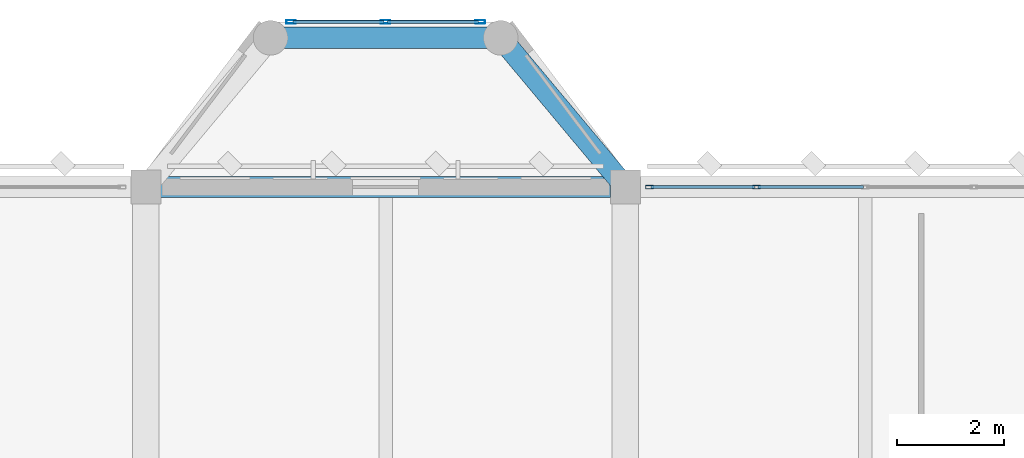
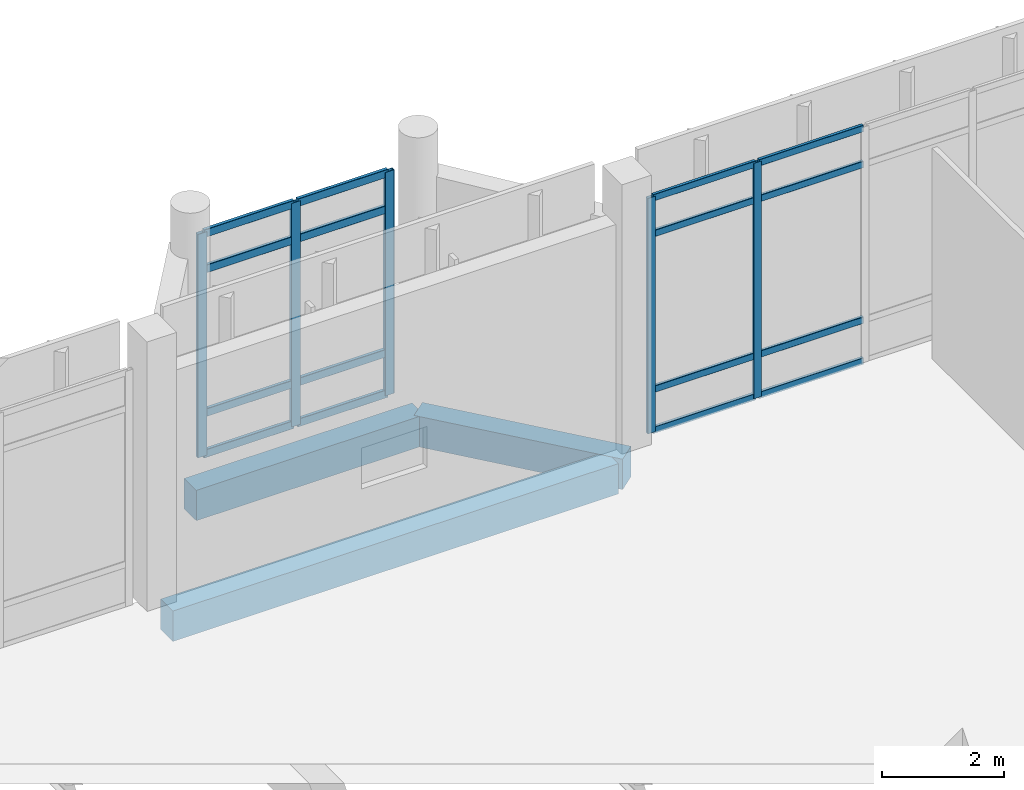
# One storey, part 86 of 180: 21 members, 3 beams, 2 elements without a shape of their own.
"""IFC4 building model written with IfcOpenShell, lengths in metres."""

from ifc_helpers import new_model, si_unit, direction, frame, origin, origin_2d, place, context, subcontext, project, spatial, rectangle, hollow_rectangle, extrude, material, material_profile, profile_set, type_object, element, aggregate, save


model = new_model("IFC4")

# Units and contexts
model_context = context("Model", 3, precision=1e-05, world=origin(), true_north=direction((0.0, 1.0)))
body_context = subcontext(model_context, "Body", "Model", "MODEL_VIEW")
ifc_project = project(units=[si_unit("LENGTHUNIT", "METRE"), si_unit("AREAUNIT", "SQUARE_METRE"), si_unit("VOLUMEUNIT", "CUBIC_METRE"), si_unit("PLANEANGLEUNIT", "RADIAN"), si_unit("MASSUNIT", "GRAM", prefix="KILO")], contexts=[model_context])

# Site, building, storey
site_placement = place(None, origin())
site = spatial("IfcSite", under=ifc_project, at=site_placement, CompositionType="ELEMENT")
building_placement = place(site_placement, origin())
building = spatial("IfcBuilding", under=site, at=building_placement, Name="Lusvemor Sports Hall", CompositionType="ELEMENT")
storey_placement = place(building_placement, frame((0.0, 0.0, 5.39990234375)))
storey = spatial("IfcBuildingStorey", under=building, at=storey_placement, Name="L01", CompositionType="ELEMENT", Elevation=5.39990234375)

# Curtain wall, members
ifc_material_1 = material(Name="Thermally broken bronze-anodized aluminium", Category="aluminium")
curtain_wall_type_1 = type_object("IfcCurtainWallType", Name="CW_FOYER_A", PredefinedType="NOTDEFINED", material=ifc_material_1)
curtain_wall_1_placement = place(storey_placement, origin())
curtain_wall_1 = element("IfcCurtainWall", 1, at=curtain_wall_1_placement, inside=storey, type_object=curtain_wall_type_1, Name="Curtain Wall CW-BOW-N2-L01-M", PredefinedType="NOTDEFINED")
ifc_material_2 = material(Name="Thermally broken bronze-anodized aluminium", Category="aluminium")
ifc_material_profile_1 = material_profile(ifc_material_2, hollow_rectangle(XDim=0.070068359375, YDim=0.179931640625, WallThickness=0.0048828125, InnerFilletRadius=0.0048828125, OuterFilletRadius=0.010009765625, at=origin_2d()), Name="CWMUL180x70x5")
ifc_profile_set_1 = profile_set([ifc_material_profile_1], Name="Thermally broken bronze-anodized aluminium")
member_type_1 = type_object("IfcMemberType", Name="CW_MUL_A", PredefinedType="MULLION", material=ifc_profile_set_1)
member_1_placement = place(storey_placement, frame((78.324951171875, 118.300048828125, 0.0), z_axis=(0.0, 0.0, 1.0), x_axis=(0.0, 1.0, 0.0)))
member_1 = element("IfcMember", 2, at=member_1_placement, type_object=member_type_1, Name="CW01 mullion 1", PredefinedType="MULLION", context=body_context, shape_type="SweptSolid", body=[
    extrude(hollow_rectangle(XDim=0.070068359375, YDim=0.179931640625, WallThickness=0.0048828125, InnerFilletRadius=0.0048828125, OuterFilletRadius=0.010009765625, at=origin_2d()), origin(), (0.0, 0.0, 1.0), 4.47998046875),
])
member_2_placement = place(storey_placement, frame((80.10009765625, 118.300048828125, 0.0), z_axis=(0.0, 0.0, 1.0), x_axis=(0.0, 1.0, 0.0)))
member_2 = element("IfcMember", 3, at=member_2_placement, type_object=member_type_1, Name="CW01 mullion 2", PredefinedType="MULLION", context=body_context, shape_type="SweptSolid", body=[
    extrude(hollow_rectangle(XDim=0.070068359375, YDim=0.179931640625, WallThickness=0.0048828125, InnerFilletRadius=0.0048828125, OuterFilletRadius=0.010009765625, at=origin_2d()), origin(), (0.0, 0.0, 1.0), 4.47998046875),
])
member_3_placement = place(storey_placement, frame((81.875, 118.300048828125, 0.0), z_axis=(0.0, 0.0, 1.0), x_axis=(0.0, 1.0, 0.0)))
member_3 = element("IfcMember", 4, at=member_3_placement, type_object=member_type_1, Name="CW01 mullion 3", PredefinedType="MULLION", context=body_context, shape_type="SweptSolid", body=[
    extrude(hollow_rectangle(XDim=0.070068359375, YDim=0.179931640625, WallThickness=0.0048828125, InnerFilletRadius=0.0048828125, OuterFilletRadius=0.010009765625, at=origin_2d()), origin(), (0.0, 0.0, 1.0), 4.47998046875),
])

ifc_material_3 = material(Name="Thermally broken bronze-anodized aluminium", Category="aluminium")
curtain_wall_type_2 = type_object("IfcCurtainWallType", Name="CW_WING_B", PredefinedType="NOTDEFINED", material=ifc_material_3)
curtain_wall_2_placement = place(storey_placement, origin())
curtain_wall_2 = element("IfcCurtainWall", 5, at=curtain_wall_2_placement, inside=storey, type_object=curtain_wall_type_2, Name="Curtain Wall CW-L01-N-1-8", PredefinedType="NOTDEFINED")
ifc_material_4 = material(Name="Thermally broken bronze-anodized aluminium", Category="aluminium")
ifc_material_profile_2 = material_profile(ifc_material_4, hollow_rectangle(XDim=0.06494140625, YDim=0.14990234375, WallThickness=0.00390625, InnerFilletRadius=0.00390625, OuterFilletRadius=0.008056640625, at=origin_2d()), Name="CWMUL150x65x4")
ifc_profile_set_2 = profile_set([ifc_material_profile_2], Name="Thermally broken bronze-anodized aluminium")
member_type_2 = type_object("IfcMemberType", Name="CW_MUL_B", PredefinedType="MULLION", material=ifc_profile_set_2)
member_4_placement = place(storey_placement, frame((85.052490234375, 115.199951171875, 0.0), z_axis=(0.0, 0.0, 1.0), x_axis=(0.0, 1.0, 0.0)))
member_4 = element("IfcMember", 6, at=member_4_placement, type_object=member_type_2, Name="CW02 mullion 1", PredefinedType="MULLION", context=body_context, shape_type="SweptSolid", body=[
    extrude(hollow_rectangle(XDim=0.06494140625, YDim=0.14990234375, WallThickness=0.00390625, InnerFilletRadius=0.00390625, OuterFilletRadius=0.008056640625, at=origin_2d()), origin(), (0.0, 0.0, 1.0), 4.72021484375),
])
member_5_placement = place(storey_placement, frame((87.06005859375, 115.199951171875, 0.0), z_axis=(0.0, 0.0, 1.0), x_axis=(0.0, 1.0, 0.0)))
member_5 = element("IfcMember", 7, at=member_5_placement, type_object=member_type_2, Name="CW02 mullion 2", PredefinedType="MULLION", context=body_context, shape_type="SweptSolid", body=[
    extrude(hollow_rectangle(XDim=0.06494140625, YDim=0.14990234375, WallThickness=0.00390625, InnerFilletRadius=0.00390625, OuterFilletRadius=0.008056640625, at=origin_2d()), origin(), (0.0, 0.0, 1.0), 4.72021484375),
])

# Member
ifc_material_5 = material(Name="Thermally broken bronze-anodized aluminium", Category="aluminium")
ifc_material_profile_3 = material_profile(ifc_material_5, hollow_rectangle(XDim=0.06494140625, YDim=0.159912109375, WallThickness=0.00390625, InnerFilletRadius=0.00390625, OuterFilletRadius=0.008056640625, at=origin_2d()), Name="CWTRN160x65x4")
ifc_profile_set_3 = profile_set([ifc_material_profile_3], Name="Thermally broken bronze-anodized aluminium")
member_type_3 = type_object("IfcMemberType", Name="CW_TRN_A", PredefinedType="USERDEFINED", material=ifc_profile_set_3)
member_6_placement = place(storey_placement, frame((78.360107421875, 118.300048828125, 0.03271484375), z_axis=(1.0, 0.0, 0.0), x_axis=(0.0, 1.0, 0.0)))
member_6 = element("IfcMember", 8, at=member_6_placement, type_object=member_type_3, Name="CW01 transom 1.1", ObjectType="TRANSOM", PredefinedType="USERDEFINED", context=body_context, shape_type="SweptSolid", body=[
    extrude(hollow_rectangle(XDim=0.06494140625, YDim=0.159912109375, WallThickness=0.00390625, InnerFilletRadius=0.00390625, OuterFilletRadius=0.008056640625, at=origin_2d()), origin(), (0.0, 0.0, 1.0), 1.704833984375),
])

member_7_placement = place(storey_placement, frame((78.360107421875, 118.300048828125, 0.85009765625), z_axis=(1.0, 0.0, 0.0), x_axis=(0.0, 1.0, 0.0)))
member_7 = element("IfcMember", 9, at=member_7_placement, type_object=member_type_3, Name="CW01 transom 1.2", ObjectType="TRANSOM", PredefinedType="USERDEFINED", context=body_context, shape_type="SweptSolid", body=[
    extrude(hollow_rectangle(XDim=0.06494140625, YDim=0.159912109375, WallThickness=0.00390625, InnerFilletRadius=0.00390625, OuterFilletRadius=0.008056640625, at=origin_2d()), origin(), (0.0, 0.0, 1.0), 1.704833984375),
])

member_8_placement = place(storey_placement, frame((78.360107421875, 118.300048828125, 3.72998046875), z_axis=(1.0, 0.0, 0.0), x_axis=(0.0, 1.0, 0.0)))
member_8 = element("IfcMember", 10, at=member_8_placement, type_object=member_type_3, Name="CW01 transom 1.3", ObjectType="TRANSOM", PredefinedType="USERDEFINED", context=body_context, shape_type="SweptSolid", body=[
    extrude(hollow_rectangle(XDim=0.06494140625, YDim=0.159912109375, WallThickness=0.00390625, InnerFilletRadius=0.00390625, OuterFilletRadius=0.008056640625, at=origin_2d()), origin(), (0.0, 0.0, 1.0), 1.704833984375),
])

member_9_placement = place(storey_placement, frame((78.360107421875, 118.300048828125, 4.447509765625), z_axis=(1.0, 0.0, 0.0), x_axis=(0.0, 1.0, 0.0)))
member_9 = element("IfcMember", 11, at=member_9_placement, type_object=member_type_3, Name="CW01 transom 1.4", ObjectType="TRANSOM", PredefinedType="USERDEFINED", context=body_context, shape_type="SweptSolid", body=[
    extrude(hollow_rectangle(XDim=0.06494140625, YDim=0.159912109375, WallThickness=0.00390625, InnerFilletRadius=0.00390625, OuterFilletRadius=0.008056640625, at=origin_2d()), origin(), (0.0, 0.0, 1.0), 1.704833984375),
])

member_10_placement = place(storey_placement, frame((80.135009765625, 118.300048828125, 0.03271484375), z_axis=(1.0, 0.0, 0.0), x_axis=(0.0, 1.0, 0.0)))
member_10 = element("IfcMember", 12, at=member_10_placement, type_object=member_type_3, Name="CW01 transom 2.1", ObjectType="TRANSOM", PredefinedType="USERDEFINED", context=body_context, shape_type="SweptSolid", body=[
    extrude(hollow_rectangle(XDim=0.06494140625, YDim=0.159912109375, WallThickness=0.00390625, InnerFilletRadius=0.00390625, OuterFilletRadius=0.008056640625, at=origin_2d()), origin(), (0.0, 0.0, 1.0), 1.705078125),
])

member_11_placement = place(storey_placement, frame((80.135009765625, 118.300048828125, 0.85009765625), z_axis=(1.0, 0.0, 0.0), x_axis=(0.0, 1.0, 0.0)))
member_11 = element("IfcMember", 13, at=member_11_placement, type_object=member_type_3, Name="CW01 transom 2.2", ObjectType="TRANSOM", PredefinedType="USERDEFINED", context=body_context, shape_type="SweptSolid", body=[
    extrude(hollow_rectangle(XDim=0.06494140625, YDim=0.159912109375, WallThickness=0.00390625, InnerFilletRadius=0.00390625, OuterFilletRadius=0.008056640625, at=origin_2d()), origin(), (0.0, 0.0, 1.0), 1.705078125),
])

member_12_placement = place(storey_placement, frame((80.135009765625, 118.300048828125, 3.72998046875), z_axis=(1.0, 0.0, 0.0), x_axis=(0.0, 1.0, 0.0)))
member_12 = element("IfcMember", 14, at=member_12_placement, type_object=member_type_3, Name="CW01 transom 2.3", ObjectType="TRANSOM", PredefinedType="USERDEFINED", context=body_context, shape_type="SweptSolid", body=[
    extrude(hollow_rectangle(XDim=0.06494140625, YDim=0.159912109375, WallThickness=0.00390625, InnerFilletRadius=0.00390625, OuterFilletRadius=0.008056640625, at=origin_2d()), origin(), (0.0, 0.0, 1.0), 1.705078125),
])

member_13_placement = place(storey_placement, frame((80.135009765625, 118.300048828125, 4.447509765625), z_axis=(1.0, 0.0, 0.0), x_axis=(0.0, 1.0, 0.0)))
member_13 = element("IfcMember", 15, at=member_13_placement, type_object=member_type_3, Name="CW01 transom 2.4", ObjectType="TRANSOM", PredefinedType="USERDEFINED", context=body_context, shape_type="SweptSolid", body=[
    extrude(hollow_rectangle(XDim=0.06494140625, YDim=0.159912109375, WallThickness=0.00390625, InnerFilletRadius=0.00390625, OuterFilletRadius=0.008056640625, at=origin_2d()), origin(), (0.0, 0.0, 1.0), 1.705078125),
])

aggregate(curtain_wall_1, [member_1, member_2, member_3, member_6, member_7, member_8, member_9, member_10, member_11, member_12, member_13])

ifc_material_6 = material(Name="Thermally broken bronze-anodized aluminium", Category="aluminium")
ifc_material_profile_4 = material_profile(ifc_material_6, hollow_rectangle(XDim=0.06005859375, YDim=0.135009765625, WallThickness=0.00390625, InnerFilletRadius=0.00390625, OuterFilletRadius=0.008056640625, at=origin_2d()), Name="CWTRN135x60x4")
ifc_profile_set_4 = profile_set([ifc_material_profile_4], Name="Thermally broken bronze-anodized aluminium")
member_type_4 = type_object("IfcMemberType", Name="CW_TRN_B", PredefinedType="USERDEFINED", material=ifc_profile_set_4)
member_14_placement = place(storey_placement, frame((85.0849609375, 115.199951171875, 0.030029296875), z_axis=(1.0, 0.0, 0.0), x_axis=(0.0, 1.0, 0.0)))
member_14 = element("IfcMember", 16, at=member_14_placement, type_object=member_type_4, Name="CW02 transom 1.1", ObjectType="TRANSOM", PredefinedType="USERDEFINED", context=body_context, shape_type="SweptSolid", body=[
    extrude(hollow_rectangle(XDim=0.06005859375, YDim=0.135009765625, WallThickness=0.00390625, InnerFilletRadius=0.00390625, OuterFilletRadius=0.008056640625, at=origin_2d()), origin(), (0.0, 0.0, 1.0), 1.942626953125),
])

member_15_placement = place(storey_placement, frame((85.0849609375, 115.199951171875, 0.85009765625), z_axis=(1.0, 0.0, 0.0), x_axis=(0.0, 1.0, 0.0)))
member_15 = element("IfcMember", 17, at=member_15_placement, type_object=member_type_4, Name="CW02 transom 1.2", ObjectType="TRANSOM", PredefinedType="USERDEFINED", context=body_context, shape_type="SweptSolid", body=[
    extrude(hollow_rectangle(XDim=0.06005859375, YDim=0.135009765625, WallThickness=0.00390625, InnerFilletRadius=0.00390625, OuterFilletRadius=0.008056640625, at=origin_2d()), origin(), (0.0, 0.0, 1.0), 1.942626953125),
])

member_16_placement = place(storey_placement, frame((85.0849609375, 115.199951171875, 3.97021484375), z_axis=(1.0, 0.0, 0.0), x_axis=(0.0, 1.0, 0.0)))
member_16 = element("IfcMember", 18, at=member_16_placement, type_object=member_type_4, Name="CW02 transom 1.3", ObjectType="TRANSOM", PredefinedType="USERDEFINED", context=body_context, shape_type="SweptSolid", body=[
    extrude(hollow_rectangle(XDim=0.06005859375, YDim=0.135009765625, WallThickness=0.00390625, InnerFilletRadius=0.00390625, OuterFilletRadius=0.008056640625, at=origin_2d()), origin(), (0.0, 0.0, 1.0), 1.942626953125),
])

member_17_placement = place(storey_placement, frame((85.0849609375, 115.199951171875, 4.690185546875), z_axis=(1.0, 0.0, 0.0), x_axis=(0.0, 1.0, 0.0)))
member_17 = element("IfcMember", 19, at=member_17_placement, type_object=member_type_4, Name="CW02 transom 1.4", ObjectType="TRANSOM", PredefinedType="USERDEFINED", context=body_context, shape_type="SweptSolid", body=[
    extrude(hollow_rectangle(XDim=0.06005859375, YDim=0.135009765625, WallThickness=0.00390625, InnerFilletRadius=0.00390625, OuterFilletRadius=0.008056640625, at=origin_2d()), origin(), (0.0, 0.0, 1.0), 1.942626953125),
])

member_18_placement = place(storey_placement, frame((87.092529296875, 115.199951171875, 0.030029296875), z_axis=(1.0, 0.0, 0.0), x_axis=(0.0, 1.0, 0.0)))
member_18 = element("IfcMember", 20, at=member_18_placement, type_object=member_type_4, Name="CW02 transom 2.1", ObjectType="TRANSOM", PredefinedType="USERDEFINED", context=body_context, shape_type="SweptSolid", body=[
    extrude(hollow_rectangle(XDim=0.06005859375, YDim=0.135009765625, WallThickness=0.00390625, InnerFilletRadius=0.00390625, OuterFilletRadius=0.008056640625, at=origin_2d()), origin(), (0.0, 0.0, 1.0), 1.974853515625),
])

member_19_placement = place(storey_placement, frame((87.092529296875, 115.199951171875, 0.85009765625), z_axis=(1.0, 0.0, 0.0), x_axis=(0.0, 1.0, 0.0)))
member_19 = element("IfcMember", 21, at=member_19_placement, type_object=member_type_4, Name="CW02 transom 2.2", ObjectType="TRANSOM", PredefinedType="USERDEFINED", context=body_context, shape_type="SweptSolid", body=[
    extrude(hollow_rectangle(XDim=0.06005859375, YDim=0.135009765625, WallThickness=0.00390625, InnerFilletRadius=0.00390625, OuterFilletRadius=0.008056640625, at=origin_2d()), origin(), (0.0, 0.0, 1.0), 1.974853515625),
])

member_20_placement = place(storey_placement, frame((87.092529296875, 115.199951171875, 3.97021484375), z_axis=(1.0, 0.0, 0.0), x_axis=(0.0, 1.0, 0.0)))
member_20 = element("IfcMember", 22, at=member_20_placement, type_object=member_type_4, Name="CW02 transom 2.3", ObjectType="TRANSOM", PredefinedType="USERDEFINED", context=body_context, shape_type="SweptSolid", body=[
    extrude(hollow_rectangle(XDim=0.06005859375, YDim=0.135009765625, WallThickness=0.00390625, InnerFilletRadius=0.00390625, OuterFilletRadius=0.008056640625, at=origin_2d()), origin(), (0.0, 0.0, 1.0), 1.974853515625),
])

member_21_placement = place(storey_placement, frame((87.092529296875, 115.199951171875, 4.690185546875), z_axis=(1.0, 0.0, 0.0), x_axis=(0.0, 1.0, 0.0)))
member_21 = element("IfcMember", 23, at=member_21_placement, type_object=member_type_4, Name="CW02 transom 2.4", ObjectType="TRANSOM", PredefinedType="USERDEFINED", context=body_context, shape_type="SweptSolid", body=[
    extrude(hollow_rectangle(XDim=0.06005859375, YDim=0.135009765625, WallThickness=0.00390625, InnerFilletRadius=0.00390625, OuterFilletRadius=0.008056640625, at=origin_2d()), origin(), (0.0, 0.0, 1.0), 1.974853515625),
])

aggregate(curtain_wall_2, [member_4, member_5, member_14, member_15, member_16, member_17, member_18, member_19, member_20, member_21])

# Beams
ifc_material_7 = material(Name="Concrete C40/50", Category="concrete")
ifc_material_profile_5 = material_profile(ifc_material_7, rectangle(XDim=0.39990234375, YDim=0.610107421875, at=origin_2d()), Name="RC400x610")
ifc_profile_set_5 = profile_set([ifc_material_profile_5], Name="Concrete C40/50")
beam_type = type_object("IfcBeamType", Name="SPAND_EXT_650", PredefinedType="SPANDREL", material=ifc_profile_set_5)
beam_1_placement = place(storey_placement, frame((75.8759765625, 115.199951171875, -0.56494140625), z_axis=(1.0, 0.0, 0.0), x_axis=(0.0, 1.0, 0.0)))
element("IfcBeam", 24, at=beam_1_placement, inside=storey, type_object=beam_type, Name="Beam L01 Q:8-9", PredefinedType="SPANDREL", context=body_context, shape_type="SweptSolid", body=[
    extrude(rectangle(XDim=0.39990234375, YDim=0.610107421875, at=origin_2d()), origin(), (0.0, 0.0, 1.0), 8.447998046875),
])
beam_2_placement = place(storey_placement, frame((77.93994140625, 118.0, -0.56494140625), z_axis=(1.0, 0.0, 0.0), x_axis=(0.0, 1.0, 0.0)))
element("IfcBeam", 25, at=beam_2_placement, inside=storey, type_object=beam_type, Name="Bow Pavilion Edge Beam BOW-N2 L01-2", PredefinedType="SPANDREL", context=body_context, shape_type="SweptSolid", body=[
    extrude(rectangle(XDim=0.39990234375, YDim=0.610107421875, at=origin_2d()), origin(), (0.0, 0.0, 1.0), 4.320068359375),
])
beam_3_placement = place(storey_placement, frame((82.260009765625, 118.0, -0.56494140625), z_axis=(0.641269570303, -0.767315670506, 0.0), x_axis=(0.767315670506, 0.641269570303, 0.0)))
element("IfcBeam", 26, at=beam_3_placement, inside=storey, type_object=beam_type, Name="Bow Pavilion Edge Beam BOW-N2 L01-3", PredefinedType="SPANDREL", context=body_context, shape_type="SweptSolid", body=[
    extrude(rectangle(XDim=0.39990234375, YDim=0.610107421875, at=origin_2d()), origin(), (0.0, 0.0, 1.0), 3.649169921875),
])

save(model, "model.ifc")
